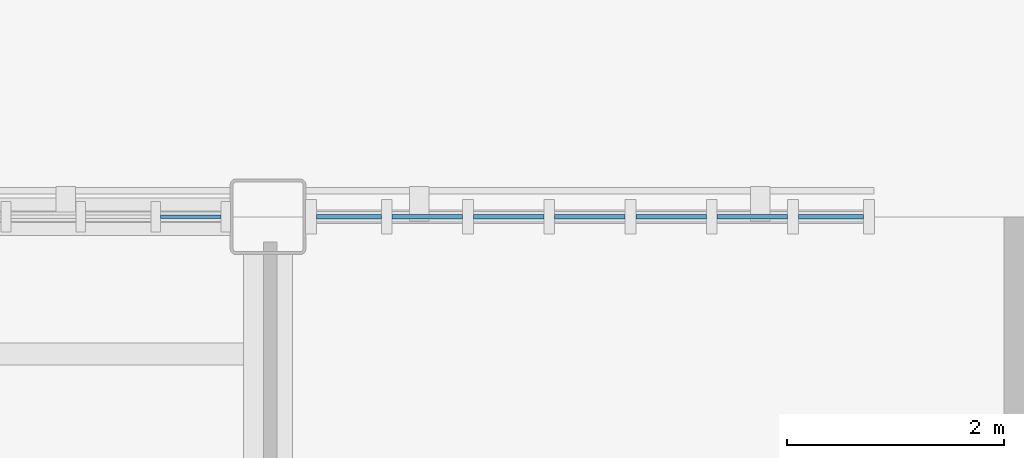
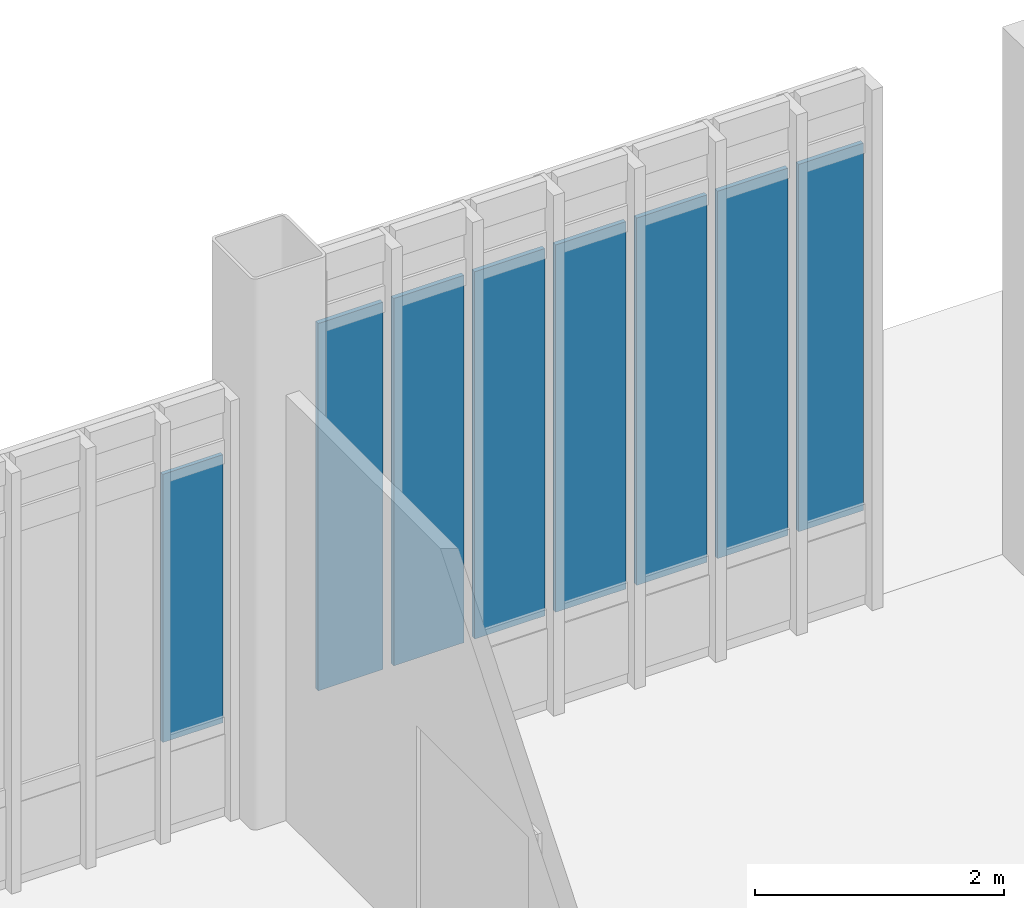
# One storey, part 65 of 111: 8 plates, 2 elements without a shape of their own.
"""IFC4 building model written with IfcOpenShell, lengths in metres."""

from ifc_helpers import new_model, si_unit, direction, frame, origin, origin_2d, place, context, subcontext, project, spatial, rectangle, extrude, material, layer, layer_set, type_object, element, aggregate, save


model = new_model("IFC4")

# Units and contexts
model_context = context("Model", 3, precision=1e-05, world=origin(), true_north=direction((0.0, 1.0)))
body_context = subcontext(model_context, "Body", "Model", "MODEL_VIEW")
ifc_project = project(units=[si_unit("LENGTHUNIT", "METRE"), si_unit("AREAUNIT", "SQUARE_METRE"), si_unit("VOLUMEUNIT", "CUBIC_METRE"), si_unit("PLANEANGLEUNIT", "RADIAN"), si_unit("MASSUNIT", "GRAM", prefix="KILO")], contexts=[model_context])

# Site, building, storey
site_placement = place(None, origin())
site = spatial("IfcSite", under=ifc_project, at=site_placement, CompositionType="ELEMENT")
building_placement = place(site_placement, origin())
building = spatial("IfcBuilding", under=site, at=building_placement, Name="Larkvane Passage Sports Hall", CompositionType="ELEMENT")
storey_placement = place(building_placement, origin())
storey = spatial("IfcBuildingStorey", under=building, at=storey_placement, Name="L00", CompositionType="ELEMENT", Elevation=0.0)

# Curtain wall, plate
ifc_material_1 = material(Name="Thermally broken aluminium and low-E glazing", Category="aluminium")
curtain_wall_type_1 = type_object("IfcCurtainWallType", Name="CW-STICK-FOYER", PredefinedType="USERDEFINED", material=ifc_material_1)
curtain_wall_1_placement = place(storey_placement, origin())
curtain_wall_1 = element("IfcCurtainWall", 1, at=curtain_wall_1_placement, inside=storey, type_object=curtain_wall_type_1, Name="Curtain wall CW5-L00-010", ObjectType="STICK CURTAIN WALL", PredefinedType="USERDEFINED")
ifc_material_2 = material(Name="High-impact court low-E glazing", Category="glass")
ifc_layer_1 = layer(ifc_material_2, 0.035888671875)
ifc_layer_set_1 = layer_set([ifc_layer_1], Name="High-impact court low-E glazing")
plate_type_1 = type_object("IfcPlateType", Name="CWP-VIS-36", PredefinedType="CURTAIN_PANEL", material=ifc_layer_set_1)
plate_1_placement = place(storey_placement, frame((76.085693359375, 91.60009765625, 0.89501953125), z_axis=(0.0, 0.0, 1.0), x_axis=(1.0, 0.0, 0.0)))
plate_1 = element("IfcPlate", 2, at=plate_1_placement, type_object=plate_type_1, Name="CW-03 panel 11.2", PredefinedType="CURTAIN_PANEL", context=body_context, shape_type="SweptSolid", body=[
    extrude(rectangle(XDim=0.556640625, YDim=0.035888671875, at=origin_2d()), origin(), (0.0, 0.0, 1.0), 2.6279296875),
])
aggregate(curtain_wall_1, [plate_1])

# Curtain wall, plates
curtain_wall_type_2 = type_object("IfcCurtainWallType", Name="CW-CLINIC", PredefinedType="USERDEFINED", material=ifc_material_1)
curtain_wall_2_placement = place(storey_placement, origin())
curtain_wall_2 = element("IfcCurtainWall", 3, at=curtain_wall_2_placement, inside=storey, type_object=curtain_wall_type_2, Name="Curtain wall CW5-L00-011", ObjectType="UNITISED CURTAIN WALL", PredefinedType="USERDEFINED")
ifc_material_3 = material(Name="Triple-laminated typhoon glazing", Category="glass")
ifc_layer_2 = layer(ifc_material_3, 0.0419921875)
ifc_layer_set_2 = layer_set([ifc_layer_2], Name="Triple-laminated typhoon glazing")
plate_type_2 = type_object("IfcPlateType", Name="CWP-VIS-42", PredefinedType="CURTAIN_PANEL", material=ifc_layer_set_2)
plate_2_placement = place(storey_placement, frame((77.54638671875, 91.60009765625, 0.89990234375), z_axis=(0.0, 0.0, 1.0), x_axis=(1.0, 0.0, 0.0)))
plate_2 = element("IfcPlate", 4, at=plate_2_placement, type_object=plate_type_2, Name="CW-05 panel 1.2", PredefinedType="CURTAIN_PANEL", context=body_context, shape_type="SweptSolid", body=[
    extrude(rectangle(XDim=0.6005859375, YDim=0.0419921875, at=origin_2d()), origin(), (0.0, 0.0, 1.0), 3.60009765625),
])
plate_3_placement = place(storey_placement, frame((78.27197265625, 91.60009765625, 0.89990234375), z_axis=(0.0, 0.0, 1.0), x_axis=(1.0, 0.0, 0.0)))
plate_3 = element("IfcPlate", 5, at=plate_3_placement, type_object=plate_type_2, Name="CW-05 panel 2.2", PredefinedType="CURTAIN_PANEL", context=body_context, shape_type="SweptSolid", body=[
    extrude(rectangle(XDim=0.650634765625, YDim=0.0419921875, at=origin_2d()), origin(), (0.0, 0.0, 1.0), 3.60009765625),
])
plate_4_placement = place(storey_placement, frame((79.0224609375, 91.60009765625, 0.89990234375), z_axis=(0.0, 0.0, 1.0), x_axis=(1.0, 0.0, 0.0)))
plate_4 = element("IfcPlate", 6, at=plate_4_placement, type_object=plate_type_2, Name="CW-05 panel 3.2", PredefinedType="CURTAIN_PANEL", context=body_context, shape_type="SweptSolid", body=[
    extrude(rectangle(XDim=0.650634765625, YDim=0.0419921875, at=origin_2d()), origin(), (0.0, 0.0, 1.0), 3.60009765625),
])
plate_5_placement = place(storey_placement, frame((79.77294921875, 91.60009765625, 0.89990234375), z_axis=(0.0, 0.0, 1.0), x_axis=(1.0, 0.0, 0.0)))
plate_5 = element("IfcPlate", 7, at=plate_5_placement, type_object=plate_type_2, Name="CW-05 panel 4.2", PredefinedType="CURTAIN_PANEL", context=body_context, shape_type="SweptSolid", body=[
    extrude(rectangle(XDim=0.650634765625, YDim=0.0419921875, at=origin_2d()), origin(), (0.0, 0.0, 1.0), 3.60009765625),
])
plate_6_placement = place(storey_placement, frame((80.523681640625, 91.60009765625, 0.89990234375), z_axis=(0.0, 0.0, 1.0), x_axis=(1.0, 0.0, 0.0)))
plate_6 = element("IfcPlate", 8, at=plate_6_placement, type_object=plate_type_2, Name="CW-05 panel 5.2", PredefinedType="CURTAIN_PANEL", context=body_context, shape_type="SweptSolid", body=[
    extrude(rectangle(XDim=0.650634765625, YDim=0.0419921875, at=origin_2d()), origin(), (0.0, 0.0, 1.0), 3.60009765625),
])
plate_7_placement = place(storey_placement, frame((81.274169921875, 91.60009765625, 0.89990234375), z_axis=(0.0, 0.0, 1.0), x_axis=(1.0, 0.0, 0.0)))
plate_7 = element("IfcPlate", 9, at=plate_7_placement, type_object=plate_type_2, Name="CW-05 panel 6.2", PredefinedType="CURTAIN_PANEL", context=body_context, shape_type="SweptSolid", body=[
    extrude(rectangle(XDim=0.650634765625, YDim=0.0419921875, at=origin_2d()), origin(), (0.0, 0.0, 1.0), 3.60009765625),
])
plate_8_placement = place(storey_placement, frame((81.999755859375, 91.60009765625, 0.89990234375), z_axis=(0.0, 0.0, 1.0), x_axis=(1.0, 0.0, 0.0)))
plate_8 = element("IfcPlate", 10, at=plate_8_placement, type_object=plate_type_2, Name="CW-05 panel 7.2", PredefinedType="CURTAIN_PANEL", context=body_context, shape_type="SweptSolid", body=[
    extrude(rectangle(XDim=0.6005859375, YDim=0.0419921875, at=origin_2d()), origin(), (0.0, 0.0, 1.0), 3.60009765625),
])
aggregate(curtain_wall_2, [plate_2, plate_3, plate_4, plate_5, plate_6, plate_7, plate_8])

save(model, "model.ifc")
